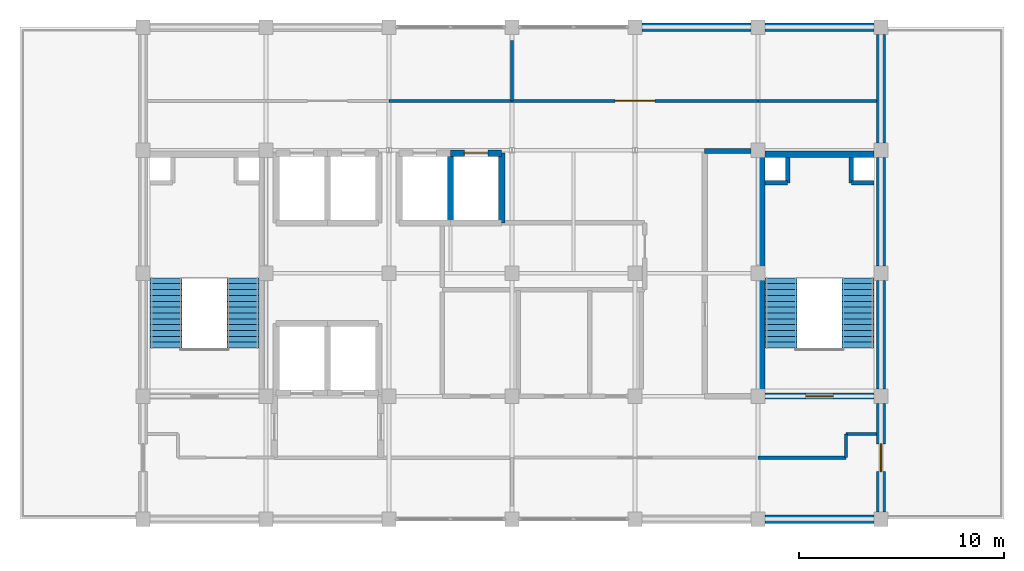
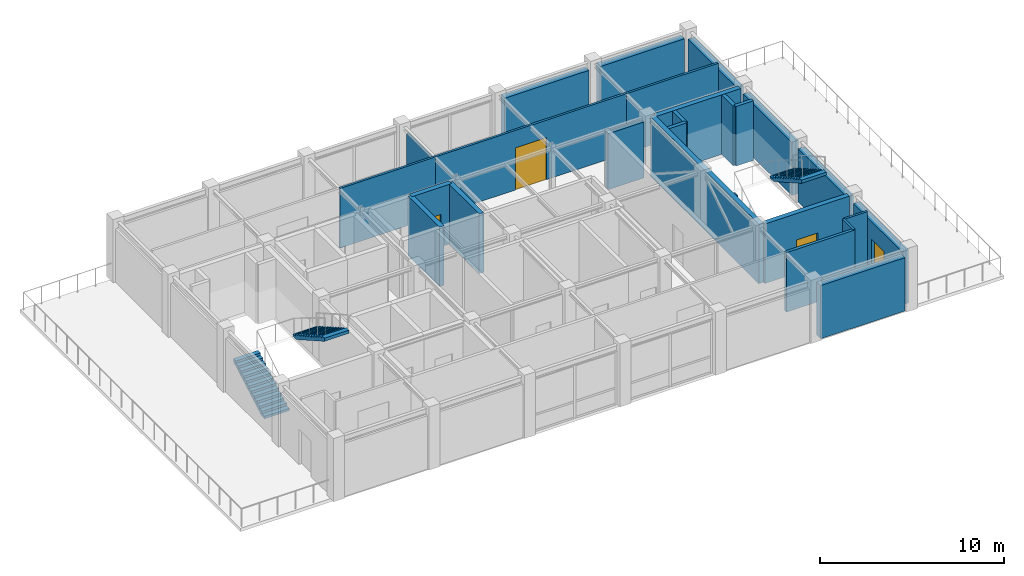
# One storey, part 13 of 14: 25 walls, 4 doors, 4 stair flights, 4 openings, 2 elements without a shape of their own.
"""IFC4 building model written with IfcOpenShell, lengths in metres."""

from ifc_helpers import new_model, si_unit, direction, frame, frame_2d, origin, place, context, subcontext, project, spatial, polyline, rectangle, outline, extrude, material, layer, layer_set, type_object, element, fill, aggregate, save


model = new_model("IFC4")

# Units and contexts
model_context = context("Model", 3, precision=1e-05, world=origin(), true_north=direction((0.0, 1.0)))
body_context = subcontext(model_context, "Body", "Model", "MODEL_VIEW")
ifc_project = project(units=[si_unit("LENGTHUNIT", "METRE"), si_unit("AREAUNIT", "SQUARE_METRE"), si_unit("VOLUMEUNIT", "CUBIC_METRE"), si_unit("PLANEANGLEUNIT", "RADIAN"), si_unit("MASSUNIT", "GRAM", prefix="KILO")], contexts=[model_context])

# Site, building, storey
site_placement = place(None, origin())
site = spatial("IfcSite", under=ifc_project, at=site_placement, CompositionType="ELEMENT")
building_placement = place(site_placement, origin())
building = spatial("IfcBuilding", under=site, at=building_placement, Name="Zlatovratsky Civic Hall", CompositionType="ELEMENT")
storey_placement = place(building_placement, frame((0.0, 0.0, 67.800048828125)))
storey = spatial("IfcBuildingStorey", under=building, at=storey_placement, Name="L17", CompositionType="ELEMENT", Elevation=67.800048828125)

# Walls
ifc_material_1 = material(Name="Acoustic ceramic blockwork", Category="masonry")
ifc_layer_1 = layer(ifc_material_1, 0.179931640625)
ifc_layer_set_1 = layer_set([ifc_layer_1], Name="Acoustic ceramic blockwork")
wall_type_1 = type_object("IfcWallType", Name="Wall_AcousticChamberPartition_180", PredefinedType="PARTITIONING", material=ifc_layer_set_1)
wall_1_placement = place(storey_placement, frame((96.0, 81.0, 0.0), z_axis=(0.0, 0.0, 1.0), x_axis=(1.0, 0.0, 0.0)))
element("IfcWall", 1, at=wall_1_placement, inside=storey, type_object=wall_type_1, Name="WL-6803", PredefinedType="PARTITIONING", context=body_context, shape_type="SweptSolid", body=[
    extrude(rectangle(XDim=4.300048828125, YDim=0.179931640625, at=frame_2d((2.14990234375, 0.0))), origin(), (0.0, 0.0, 1.0), 3.9599609375),
])
ifc_layer_2 = layer(ifc_material_1, 0.260009765625)
ifc_layer_set_2 = layer_set([ifc_layer_2], Name="Acoustic ceramic blockwork")
wall_type_2 = type_object("IfcWallType", Name="Wall_ArchiveCompartment_260", PredefinedType="PARTITIONING", material=ifc_layer_set_2)
wall_2_placement = place(storey_placement, frame((93.39990234375, 95.9599609375, 0.0), z_axis=(0.0, 0.0, 1.0), x_axis=(1.0, 0.0, 0.0)))
element("IfcWall", 2, at=wall_2_placement, inside=storey, type_object=wall_type_2, Name="WL-6782", PredefinedType="PARTITIONING", context=body_context, shape_type="SweptSolid", body=[
    extrude(rectangle(XDim=2.25, YDim=0.260009765625, at=frame_2d((1.125, 0.0))), origin(), (0.0, 0.0, 1.0), 3.716064453125),
])

# Wall, opening, door
ifc_material_2 = material(Name="Fire-rated gypsum board framing", Category="gypsum")
ifc_layer_3 = layer(ifc_material_2, 0.139892578125)
ifc_layer_set_3 = layer_set([ifc_layer_3], Name="Fire-rated gypsum board framing")
wall_type_3 = type_object("IfcWallType", Name="Wall_OfficePartition_140", PredefinedType="PARTITIONING", material=ifc_layer_set_3)
wall_3_placement = place(storey_placement, frame((84.0, 98.39990234375, 0.0), z_axis=(0.0, 0.0, 1.0), x_axis=(1.0, 0.0, 0.0)))
wall_3 = element("IfcWall", 3, at=wall_3_placement, inside=storey, type_object=wall_type_3, Name="WL-6795", PredefinedType="PARTITIONING", context=body_context, shape_type="SweptSolid", body=[
    extrude(rectangle(XDim=12.0, YDim=0.139892578125, at=frame_2d((6.0, 0.0))), origin(), (0.0, 0.0, 1.0), 3.9599609375),
])
opening_1_placement = place(wall_3_placement, frame((5.02490234375, 0.0, 0.0)))
opening_1 = element("IfcOpeningElement", 4, at=opening_1_placement, cuts=wall_3, Name="Opening D-27", PredefinedType="OPENING", context=body_context, shape_type="SweptSolid", body=[
    extrude(rectangle(XDim=1.949951171875, YDim=2.800048828125, at=frame_2d((0.97509765625, 1.39990234375))), frame((0.0, 0.0849609375, 0.0), z_axis=(0.0, -1.0, 0.0), x_axis=(1.0, 0.0, 0.0)), (0.0, 0.0, 1.0), 0.169677734375),
])
ifc_material_3 = material(Name="Solid oak joinery in steel frame", Category="steel")
door_type_1 = type_object("IfcDoorType", Name="Door_MayoralCabinet_1950x2800", OperationType="DOUBLE_DOOR_SINGLE_SWING", PredefinedType="DOOR", material=ifc_material_3)
door_1_placement = place(opening_1_placement, origin())
door_1 = element("IfcDoor", 5, at=door_1_placement, inside=storey, type_object=door_type_1, Name="DR-5565", OperationType="DOUBLE_DOOR_SINGLE_SWING", OverallHeight=2.800048828125, OverallWidth=1.949951171875, PredefinedType="DOOR", context=body_context, shape_type="SweptSolid", body=[
    extrude(rectangle(XDim=1.949951171875, YDim=2.800048828125, at=frame_2d((0.97509765625, 1.39990234375))), frame((0.0, 0.02490234375, 0.0), z_axis=(0.0, -1.0, 0.0), x_axis=(1.0, 0.0, 0.0)), (0.0, 0.0, 1.0), 0.050048828125),
])
fill(opening_1, door_1)

# Walls
wall_4_placement = place(storey_placement, frame((84.0, 98.39990234375, 0.0), z_axis=(0.0, 0.0, 1.0), x_axis=(0.0, 1.0, 0.0)))
element("IfcWall", 6, at=wall_4_placement, inside=storey, type_object=wall_type_3, Name="WL-6797", PredefinedType="PARTITIONING", context=body_context, shape_type="SweptSolid", body=[
    extrude(rectangle(XDim=2.9501953125, YDim=0.139892578125, at=frame_2d((1.47509765625, 0.0))), origin(), (0.0, 0.0, 1.0), 3.716064453125),
])
wall_5_placement = place(storey_placement, frame((100.300048828125, 81.0, 0.0), z_axis=(0.0, 0.0, 1.0), x_axis=(0.0, 1.0, 0.0)))
element("IfcWall", 7, at=wall_5_placement, inside=storey, type_object=wall_type_3, Name="WL-6806", PredefinedType="PARTITIONING", context=body_context, shape_type="SweptSolid", body=[
    extrude(rectangle(XDim=1.14990234375, YDim=0.139892578125, at=frame_2d((0.574951171875, 0.0))), origin(), (0.0, 0.0, 1.0), 3.9599609375),
])
wall_6_placement = place(storey_placement, frame((100.300048828125, 82.14990234375, 0.0), z_axis=(0.0, 0.0, 1.0), x_axis=(1.0, 0.0, 0.0)))
element("IfcWall", 8, at=wall_6_placement, inside=storey, type_object=wall_type_3, Name="WL-6807", PredefinedType="PARTITIONING", context=body_context, shape_type="SweptSolid", body=[
    extrude(rectangle(XDim=1.489990234375, YDim=0.139892578125, at=frame_2d((0.7451171875, 0.0))), origin(), (0.0, 0.0, 1.0), 3.9599609375),
])
wall_7_placement = place(storey_placement, frame((78.0, 98.39990234375, 0.0), z_axis=(0.0, 0.0, 1.0), x_axis=(1.0, 0.0, 0.0)))
element("IfcWall", 9, at=wall_7_placement, inside=storey, type_object=wall_type_3, Name="WL-6809", PredefinedType="PARTITIONING", context=body_context, shape_type="SweptSolid", body=[
    extrude(rectangle(XDim=6.0, YDim=0.139892578125, at=frame_2d((3.0, 0.0))), origin(), (0.0, 0.0, 1.0), 3.9599609375),
])
wall_8_placement = place(storey_placement, frame((96.0, 98.39990234375, 0.0), z_axis=(0.0, 0.0, 1.0), x_axis=(1.0, 0.0, 0.0)))
element("IfcWall", 10, at=wall_8_placement, inside=storey, type_object=wall_type_3, Name="WL-6810", PredefinedType="PARTITIONING", context=body_context, shape_type="SweptSolid", body=[
    extrude(rectangle(XDim=5.7900390625, YDim=0.139892578125, at=frame_2d((2.89501953125, 0.0))), origin(), (0.0, 0.0, 1.0), 3.9599609375),
])
ifc_layer_4 = layer(ifc_material_1, 0.219970703125)
ifc_layer_set_4 = layer_set([ifc_layer_4], Name="Acoustic ceramic blockwork")
wall_type_4 = type_object("IfcWallType", Name="Wall_SanitaryWetCore_220", PredefinedType="PARTITIONING", material=ifc_layer_set_4)
wall_9_placement = place(storey_placement, frame((97.449951171875, 94.39990234375, 0.0), z_axis=(0.0, 0.0, 1.0), x_axis=(0.0, 1.0, 0.0)))
element("IfcWall", 11, at=wall_9_placement, inside=storey, type_object=wall_type_4, Name="WL-5298", PredefinedType="PARTITIONING", context=body_context, shape_type="SweptSolid", body=[
    extrude(rectangle(XDim=1.25, YDim=0.219970703125, at=frame_2d((0.625, 0.0))), origin(), (0.0, 0.0, 1.0), 3.9599609375),
])
wall_10_placement = place(storey_placement, frame((96.35009765625, 94.39990234375, 0.0), z_axis=(0.0, 0.0, 1.0), x_axis=(1.0, 0.0, 0.0)))
element("IfcWall", 12, at=wall_10_placement, inside=storey, type_object=wall_type_4, Name="WL-5299", PredefinedType="PARTITIONING", context=body_context, shape_type="SweptSolid", body=[
    extrude(rectangle(XDim=1.099853515625, YDim=0.219970703125, at=frame_2d((0.5498046875, 0.0))), origin(), (0.0, 0.0, 1.0), 3.9599609375),
])
wall_11_placement = place(storey_placement, frame((100.550048828125, 94.39990234375, 0.0), z_axis=(0.0, 0.0, 1.0), x_axis=(0.0, 1.0, 0.0)))
element("IfcWall", 13, at=wall_11_placement, inside=storey, type_object=wall_type_4, Name="WL-5300", PredefinedType="PARTITIONING", context=body_context, shape_type="SweptSolid", body=[
    extrude(rectangle(XDim=1.25, YDim=0.219970703125, at=frame_2d((0.625, 0.0))), origin(), (0.0, 0.0, 1.0), 3.9599609375),
])
wall_12_placement = place(storey_placement, frame((100.550048828125, 94.39990234375, 0.0), z_axis=(0.0, 0.0, 1.0), x_axis=(1.0, 0.0, 0.0)))
element("IfcWall", 14, at=wall_12_placement, inside=storey, type_object=wall_type_4, Name="WL-5301", PredefinedType="PARTITIONING", context=body_context, shape_type="SweptSolid", body=[
    extrude(rectangle(XDim=1.099853515625, YDim=0.219970703125, at=frame_2d((0.5498046875, 0.0))), origin(), (0.0, 0.0, 1.0), 3.9599609375),
])

# Wall, opening, door
ifc_material_4 = material(Name="Concrete C35/45 (B40)", Category="concrete")
ifc_layer_5 = layer(ifc_material_4, 0.300048828125)
ifc_layer_set_5 = layer_set([ifc_layer_5], Name="Concrete C35/45 (B40)")
wall_type_5 = type_object("IfcWallType", Name="Wall_StairAndLiftShaft_300", PredefinedType="SHEAR", material=ifc_layer_set_5)
wall_13_placement = place(storey_placement, frame((96.35009765625, 84.0, 0.0), z_axis=(0.0, 0.0, 1.0), x_axis=(1.0, 0.0, 0.0)))
wall_13 = element("IfcWall", 15, at=wall_13_placement, inside=storey, type_object=wall_type_5, Name="WL-5295", PredefinedType="SHEAR", context=body_context, shape_type="SweptSolid", body=[
    extrude(rectangle(XDim=5.2998046875, YDim=0.300048828125, at=frame_2d((2.64990234375, 0.0))), origin(), (0.0, 0.0, 1.0), 3.9599609375),
])
opening_2_placement = place(wall_13_placement, frame((1.97509765625, 0.0, 0.0)))
opening_2 = element("IfcOpeningElement", 16, at=opening_2_placement, cuts=wall_13, Name="Opening D-17", PredefinedType="OPENING", context=body_context, shape_type="SweptSolid", body=[
    extrude(rectangle(XDim=1.35009765625, YDim=2.199951171875, at=frame_2d((0.675048828125, 1.10009765625))), frame((0.0, 0.1650390625, 0.0), z_axis=(0.0, -1.0, 0.0), x_axis=(1.0, 0.0, 0.0)), (0.0, 0.0, 1.0), 0.329833984375),
])
ifc_material_5 = material(Name="Insulated painted fire-rated steel leaf", Category="steel")
door_type_2 = type_object("IfcDoorType", Name="Door_StairwellFireTower_1350x2200", OperationType="NOTDEFINED", PredefinedType="DOOR", material=ifc_material_5)
door_2_placement = place(opening_2_placement, origin())
door_2 = element("IfcDoor", 17, at=door_2_placement, inside=storey, type_object=door_type_2, Name="DR-5037", OperationType="SINGLE_SWING_LEFT", OverallHeight=2.199951171875, OverallWidth=1.35009765625, PredefinedType="DOOR", context=body_context, shape_type="SweptSolid", body=[
    extrude(rectangle(XDim=1.35009765625, YDim=2.199951171875, at=frame_2d((0.675048828125, 1.10009765625))), frame((0.0, 0.02490234375, 0.0), z_axis=(0.0, -1.0, 0.0), x_axis=(1.0, 0.0, 0.0)), (0.0, 0.0, 1.0), 0.050048828125),
])
fill(opening_2, door_2)

# Walls
wall_14_placement = place(storey_placement, frame((96.35009765625, 95.800048828125, 0.0), z_axis=(0.0, 0.0, 1.0), x_axis=(1.0, 0.0, 0.0)))
element("IfcWall", 18, at=wall_14_placement, inside=storey, type_object=wall_type_5, Name="WL-5296", PredefinedType="SHEAR", context=body_context, shape_type="SweptSolid", body=[
    extrude(rectangle(XDim=5.2998046875, YDim=0.300048828125, at=frame_2d((2.64990234375, 0.0))), origin(), (0.0, 0.0, 1.0), 3.9599609375),
])
wall_15_placement = place(storey_placement, frame((96.199951171875, 84.0, 0.0), z_axis=(0.0, 0.0, 1.0), x_axis=(0.0, 1.0, 0.0)))
element("IfcWall", 19, at=wall_15_placement, inside=storey, type_object=wall_type_5, Name="WL-5297", PredefinedType="SHEAR", context=body_context, shape_type="SweptSolid", body=[
    extrude(rectangle(XDim=11.800048828125, YDim=0.300048828125, at=frame_2d((5.89990234375, 0.0))), origin(), (0.0, 0.0, 1.0), 3.9599609375),
])

# Wall, opening, door
wall_16_placement = place(storey_placement, frame((81.0, 95.85009765625, 0.0), z_axis=(0.0, 0.0, 1.0), x_axis=(1.0, 0.0, 0.0)))
wall_16 = element("IfcWall", 20, at=wall_16_placement, inside=storey, type_object=wall_type_5, Name="WL-5884", PredefinedType="SHEAR", context=body_context, shape_type="SweptSolid", body=[
    extrude(rectangle(XDim=2.5, YDim=0.300048828125, at=frame_2d((1.25, 0.0))), origin(), (0.0, 0.0, 1.0), 3.9599609375),
])
opening_3_placement = place(wall_16_placement, frame((0.675048828125, 0.0, 0.0)))
opening_3 = element("IfcOpeningElement", 21, at=opening_3_placement, cuts=wall_16, Name="Opening LD-02", PredefinedType="OPENING", context=body_context, shape_type="SweptSolid", body=[
    extrude(rectangle(XDim=1.14990234375, YDim=2.14990234375, at=frame_2d((0.574951171875, 1.074951171875))), frame((0.0, 0.1650390625, 0.0), z_axis=(0.0, -1.0, 0.0), x_axis=(1.0, 0.0, 0.0)), (0.0, 0.0, 1.0), 0.329833984375),
])
ifc_material_6 = material(Name="Brushed stainless steel AISI 304", Category="steel")
door_type_3 = type_object("IfcDoorType", Name="Door_LiftLandingHighRise_1150x2150", OperationType="DOUBLE_DOOR_SLIDING", PredefinedType="DOOR", material=ifc_material_6)
door_3_placement = place(opening_3_placement, origin())
door_3 = element("IfcDoor", 22, at=door_3_placement, inside=storey, type_object=door_type_3, Name="Lift landing door LD-5171", OperationType="DOUBLE_DOOR_SLIDING", OverallHeight=2.14990234375, OverallWidth=1.14990234375, PredefinedType="DOOR", context=body_context, shape_type="SweptSolid", body=[
    extrude(rectangle(XDim=1.14990234375, YDim=2.14990234375, at=frame_2d((0.574951171875, 1.074951171875))), frame((0.0, 0.02490234375, 0.0), z_axis=(0.0, -1.0, 0.0), x_axis=(1.0, 0.0, 0.0)), (0.0, 0.0, 1.0), 0.050048828125),
])
fill(opening_3, door_3)

# Walls
for number, where, z_axis, x_axis, name in (
    (23, (81.0, 92.449951171875, 0.0), (0.0, 0.0, 1.0), (0.0, 1.0, 0.0), "WL-5886"),
    (24, (83.5, 92.449951171875, 0.0), (0.0, 0.0, 1.0), (0.0, 1.0, 0.0), "WL-5887"),
):
    element("IfcWall", number, at=place(storey_placement, frame(where, z_axis=z_axis, x_axis=x_axis)), inside=storey, type_object=wall_type_5, Name=name, PredefinedType="SHEAR", context=body_context, shape_type="SweptSolid", body=[
        extrude(rectangle(XDim=3.400146484375, YDim=0.300048828125, at=frame_2d((1.7001953125, 0.0))), origin(), (0.0, 0.0, 1.0), 3.9599609375),
    ])
ifc_layer_6 = layer(ifc_material_1, 0.280029296875, Name="Backing")
ifc_material_7 = material(Name="Podolsk limestone ashlar", Category="masonry")
ifc_layer_7 = layer(ifc_material_7, 0.139892578125, Name="Finish")
ifc_layer_set_6 = layer_set([ifc_layer_6, ifc_layer_7], Name="Acoustic ceramic blockwork")
wall_type_6 = type_object("IfcWallType", Name="Wall_TowerLimestoneAshlar_420", PredefinedType="SOLIDWALL", material=ifc_layer_set_6)
for number, where, z_axis, x_axis, name in (
    (25, (96.35009765625, 78.0, 0.0), (0.0, 0.0, 1.0), (1.0, 0.0, 0.0), "WL-0672"),
    (26, (90.35009765625, 102.0, 0.0), (0.0, 0.0, 1.0), (1.0, 0.0, 0.0), "WL-0675"),
    (27, (96.35009765625, 102.0, 0.0), (0.0, 0.0, 1.0), (1.0, 0.0, 0.0), "WL-0676"),
):
    element("IfcWall", number, at=place(storey_placement, frame(where, z_axis=z_axis, x_axis=x_axis)), inside=storey, type_object=wall_type_6, Name=name, PredefinedType="SOLIDWALL", context=body_context, shape_type="SweptSolid", body=[
        extrude(rectangle(XDim=5.2998046875, YDim=0.419921875, at=frame_2d((2.64990234375, 0.0))), origin(), (0.0, 0.0, 1.0), 3.5400390625),
    ])

# Wall, opening, door
wall_17_placement = place(storey_placement, frame((102.0, 78.35009765625, 0.0), z_axis=(0.0, 0.0, 1.0), x_axis=(0.0, 1.0, 0.0)))
wall_17 = element("IfcWall", 28, at=wall_17_placement, inside=storey, type_object=wall_type_6, Name="WL-0681", PredefinedType="SOLIDWALL", context=body_context, shape_type="SweptSolid", body=[
    extrude(rectangle(XDim=5.2998046875, YDim=0.419921875, at=frame_2d((2.64990234375, 0.0))), origin(), (0.0, 0.0, 1.0), 3.5400390625),
])
opening_4_placement = place(wall_17_placement, frame((1.97509765625, 0.0, 0.0)))
opening_4 = element("IfcOpeningElement", 29, at=opening_4_placement, cuts=wall_17, Name="Opening D-09", PredefinedType="OPENING", context=body_context, shape_type="SweptSolid", body=[
    extrude(rectangle(XDim=1.35009765625, YDim=2.35009765625, at=frame_2d((0.675048828125, 1.175048828125))), frame((0.0, 0.224853515625, 0.0), z_axis=(0.0, -1.0, 0.0), x_axis=(1.0, 0.0, 0.0)), (0.0, 0.0, 1.0), 0.44970703125),
])
ifc_material_8 = material(Name="Monumental cast bronze glazed portal", Category="aluminium")
door_type_4 = type_object("IfcDoorType", Name="Door_ProtocolTerrace_1350x2350", OperationType="NOTDEFINED", PredefinedType="DOOR", material=ifc_material_8)
door_4_placement = place(opening_4_placement, origin())
door_4 = element("IfcDoor", 30, at=door_4_placement, inside=storey, type_object=door_type_4, Name="DR-0029", OperationType="SINGLE_SWING_RIGHT", OverallHeight=2.35009765625, OverallWidth=1.35009765625, PredefinedType="DOOR", context=body_context, shape_type="SweptSolid", body=[
    extrude(rectangle(XDim=1.35009765625, YDim=2.35009765625, at=frame_2d((0.675048828125, 1.175048828125))), frame((0.0, 0.02490234375, 0.0), z_axis=(0.0, -1.0, 0.0), x_axis=(1.0, 0.0, 0.0)), (0.0, 0.0, 1.0), 0.050048828125),
])
fill(opening_4, door_4)

# Walls
for number, where, z_axis, x_axis, name in (
    (31, (102.0, 84.35009765625, 0.0), (0.0, 0.0, 1.0), (0.0, 1.0, 0.0), "WL-0682"),
    (32, (102.0, 90.35009765625, 0.0), (0.0, 0.0, 1.0), (0.0, 1.0, 0.0), "WL-0683"),
    (33, (102.0, 96.35009765625, 0.0), (0.0, 0.0, 1.0), (0.0, 1.0, 0.0), "WL-0684"),
):
    element("IfcWall", number, at=place(storey_placement, frame(where, z_axis=z_axis, x_axis=x_axis)), inside=storey, type_object=wall_type_6, Name=name, PredefinedType="SOLIDWALL", context=body_context, shape_type="SweptSolid", body=[
        extrude(rectangle(XDim=5.2998046875, YDim=0.419921875, at=frame_2d((2.64990234375, 0.0))), origin(), (0.0, 0.0, 1.0), 3.5400390625),
    ])

# Stair, stair flights
ifc_material_9 = material(Name="Concrete C30/37 (B35)", Category="concrete")
stair_type = type_object("IfcStairType", Name="Stair_HALF_26R_1550W_05", PredefinedType="HALF_TURN_STAIR", material=ifc_material_9)
stair_1_placement = place(storey_placement, origin())
stair_1 = element("IfcStair", 34, at=stair_1_placement, inside=storey, type_object=stair_type, Name="ST-018", PredefinedType="HALF_TURN_STAIR")
stair_flight_type = type_object("IfcStairFlightType", Name="StairFlight_13R_1550W_05", PredefinedType="STRAIGHT", material=ifc_material_9)
stair_flight_1_placement = place(storey_placement, frame((67.125, 86.35009765625, 0.0), z_axis=(0.0, 0.0, 1.0), x_axis=(0.0, 1.0, 0.0)))
stair_flight_1 = element("IfcStairFlight", 35, at=stair_flight_1_placement, type_object=stair_flight_type, Name="ST-018-F1", NumberOfRisers=13, NumberOfTreads=12, PredefinedType="STRAIGHT", RiserHeight=0.161538462, TreadLength=0.285, context=body_context, shape_type="SweptSolid", body=[
    extrude(outline(polyline([(0.0, 0.0), (0.0, 0.16162109375), (0.284912109375, 0.16162109375), (0.284912109375, 0.322998046875), (0.570068359375, 0.322998046875), (0.570068359375, 0.484619140625), (0.85498046875, 0.484619140625), (0.85498046875, 0.646240234375), (1.139892578125, 0.646240234375), (1.139892578125, 0.8076171875), (1.425048828125, 0.8076171875), (1.425048828125, 0.96923828125), (1.7099609375, 0.96923828125), (1.7099609375, 1.130859375), (1.9951171875, 1.130859375), (1.9951171875, 1.292236328125), (2.280029296875, 1.292236328125), (2.280029296875, 1.453857421875), (2.56494140625, 1.453857421875), (2.56494140625, 1.615478515625), (2.85009765625, 1.615478515625), (2.85009765625, 1.77685546875), (3.135009765625, 1.77685546875), (3.135009765625, 1.9384765625), (3.419921875, 1.9384765625), (3.419921875, 2.10009765625), (3.419921875, 1.731689453125), (0.364990234375, 0.0), (0.0, 0.0)])), frame((0.0, 0.77490234375, 0.0), z_axis=(0.0, -1.0, 0.0), x_axis=(1.0, 0.0, 0.0)), (0.0, 0.0, 1.0), 1.550048828125),
])
stair_flight_2_placement = place(storey_placement, frame((70.875, 89.77001953125, 2.099853515625), z_axis=(0.0, 0.0, 1.0), x_axis=(0.0, -1.0, 0.0)))
stair_flight_2 = element("IfcStairFlight", 36, at=stair_flight_2_placement, type_object=stair_flight_type, Name="ST-018-F2", NumberOfRisers=13, NumberOfTreads=12, PredefinedType="STRAIGHT", RiserHeight=0.161538462, TreadLength=0.285, context=body_context, shape_type="SweptSolid", body=[
    extrude(outline(polyline([(0.0, 0.0), (0.0, 0.16162109375), (0.284912109375, 0.16162109375), (0.284912109375, 0.322998046875), (0.570068359375, 0.322998046875), (0.570068359375, 0.484619140625), (0.85498046875, 0.484619140625), (0.85498046875, 0.646240234375), (1.139892578125, 0.646240234375), (1.139892578125, 0.8076171875), (1.425048828125, 0.8076171875), (1.425048828125, 0.96923828125), (1.7099609375, 0.96923828125), (1.7099609375, 1.130859375), (1.9951171875, 1.130859375), (1.9951171875, 1.292236328125), (2.280029296875, 1.292236328125), (2.280029296875, 1.453857421875), (2.56494140625, 1.453857421875), (2.56494140625, 1.615478515625), (2.85009765625, 1.615478515625), (2.85009765625, 1.77685546875), (3.135009765625, 1.77685546875), (3.135009765625, 1.9384765625), (3.419921875, 1.9384765625), (3.419921875, 2.10009765625), (3.419921875, 1.731689453125), (0.364990234375, 0.0), (0.0, 0.0)])), frame((0.0, 0.77490234375, 0.0), z_axis=(0.0, -1.0, 0.0), x_axis=(1.0, 0.0, 0.0)), (0.0, 0.0, 1.0), 1.550048828125),
])
aggregate(stair_1, [stair_flight_1, stair_flight_2])

stair_2_placement = place(storey_placement, origin())
stair_2 = element("IfcStair", 37, at=stair_2_placement, inside=storey, type_object=stair_type, Name="ST-037", PredefinedType="HALF_TURN_STAIR")
stair_flight_3_placement = place(storey_placement, frame((97.125, 86.35009765625, 0.0), z_axis=(0.0, 0.0, 1.0), x_axis=(0.0, 1.0, 0.0)))
stair_flight_3 = element("IfcStairFlight", 38, at=stair_flight_3_placement, type_object=stair_flight_type, Name="ST-037-F1", NumberOfRisers=13, NumberOfTreads=12, PredefinedType="STRAIGHT", RiserHeight=0.161538462, TreadLength=0.285, context=body_context, shape_type="SweptSolid", body=[
    extrude(outline(polyline([(0.0, 0.0), (0.0, 0.16162109375), (0.284912109375, 0.16162109375), (0.284912109375, 0.322998046875), (0.570068359375, 0.322998046875), (0.570068359375, 0.484619140625), (0.85498046875, 0.484619140625), (0.85498046875, 0.646240234375), (1.139892578125, 0.646240234375), (1.139892578125, 0.8076171875), (1.425048828125, 0.8076171875), (1.425048828125, 0.96923828125), (1.7099609375, 0.96923828125), (1.7099609375, 1.130859375), (1.9951171875, 1.130859375), (1.9951171875, 1.292236328125), (2.280029296875, 1.292236328125), (2.280029296875, 1.453857421875), (2.56494140625, 1.453857421875), (2.56494140625, 1.615478515625), (2.85009765625, 1.615478515625), (2.85009765625, 1.77685546875), (3.135009765625, 1.77685546875), (3.135009765625, 1.9384765625), (3.419921875, 1.9384765625), (3.419921875, 2.10009765625), (3.419921875, 1.731689453125), (0.364990234375, 0.0), (0.0, 0.0)])), frame((0.0, 0.77490234375, 0.0), z_axis=(0.0, -1.0, 0.0), x_axis=(1.0, 0.0, 0.0)), (0.0, 0.0, 1.0), 1.550048828125),
])
stair_flight_4_placement = place(storey_placement, frame((100.875, 89.77001953125, 2.099853515625), z_axis=(0.0, 0.0, 1.0), x_axis=(0.0, -1.0, 0.0)))
stair_flight_4 = element("IfcStairFlight", 39, at=stair_flight_4_placement, type_object=stair_flight_type, Name="ST-037-F2", NumberOfRisers=13, NumberOfTreads=12, PredefinedType="STRAIGHT", RiserHeight=0.161538462, TreadLength=0.285, context=body_context, shape_type="SweptSolid", body=[
    extrude(outline(polyline([(0.0, 0.0), (0.0, 0.16162109375), (0.284912109375, 0.16162109375), (0.284912109375, 0.322998046875), (0.570068359375, 0.322998046875), (0.570068359375, 0.484619140625), (0.85498046875, 0.484619140625), (0.85498046875, 0.646240234375), (1.139892578125, 0.646240234375), (1.139892578125, 0.8076171875), (1.425048828125, 0.8076171875), (1.425048828125, 0.96923828125), (1.7099609375, 0.96923828125), (1.7099609375, 1.130859375), (1.9951171875, 1.130859375), (1.9951171875, 1.292236328125), (2.280029296875, 1.292236328125), (2.280029296875, 1.453857421875), (2.56494140625, 1.453857421875), (2.56494140625, 1.615478515625), (2.85009765625, 1.615478515625), (2.85009765625, 1.77685546875), (3.135009765625, 1.77685546875), (3.135009765625, 1.9384765625), (3.419921875, 1.9384765625), (3.419921875, 2.10009765625), (3.419921875, 1.731689453125), (0.364990234375, 0.0), (0.0, 0.0)])), frame((0.0, 0.77490234375, 0.0), z_axis=(0.0, -1.0, 0.0), x_axis=(1.0, 0.0, 0.0)), (0.0, 0.0, 1.0), 1.550048828125),
])
aggregate(stair_2, [stair_flight_3, stair_flight_4])

save(model, "model.ifc")
